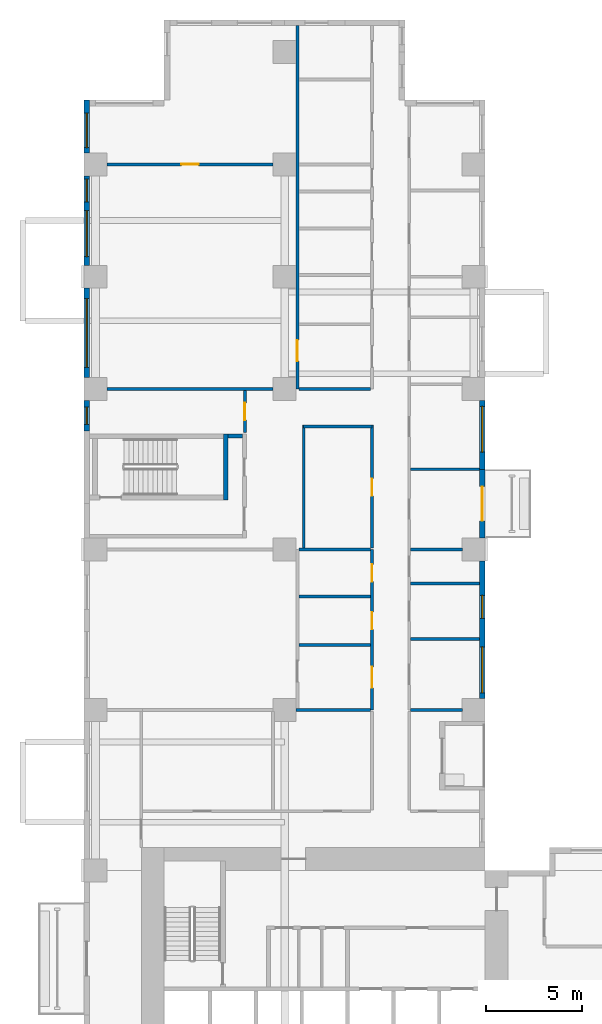
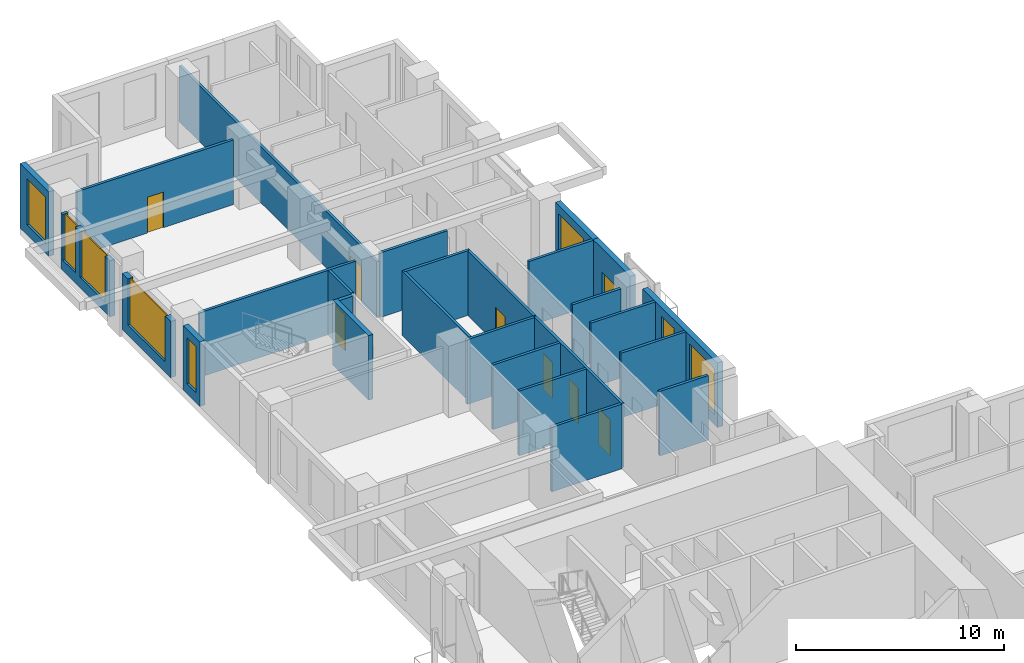
# One storey, part 6 of 14: 27 walls, 8 doors, 8 windows, 16 openings.
"""IFC4 building model written with IfcOpenShell, lengths in metres."""

from ifc_helpers import new_model, si_unit, direction, frame, frame_2d, origin, place, context, subcontext, project, spatial, rectangle, extrude, source, transform, mapped, material, layer, layer_set, type_object, element, fill, save


model = new_model("IFC4")

# Units and contexts
model_context = context("Model", 3, precision=1e-05, world=origin(), true_north=direction((0.0, 1.0)))
body_context = subcontext(model_context, "Body", "Model", "MODEL_VIEW")
ifc_project = project(units=[si_unit("LENGTHUNIT", "METRE"), si_unit("AREAUNIT", "SQUARE_METRE"), si_unit("VOLUMEUNIT", "CUBIC_METRE"), si_unit("PLANEANGLEUNIT", "RADIAN"), si_unit("MASSUNIT", "GRAM", prefix="KILO")], contexts=[model_context])

# Site, building, storey
site_placement = place(None, origin())
site = spatial("IfcSite", under=ifc_project, at=site_placement, CompositionType="ELEMENT")
building_placement = place(site_placement, origin())
building = spatial("IfcBuilding", under=site, at=building_placement, Name="Aurelian Terraces", CompositionType="ELEMENT")
storey_placement = place(building_placement, frame((0.0, 0.0, 40.5)))
storey = spatial("IfcBuildingStorey", under=building, at=storey_placement, Name="L07", CompositionType="ELEMENT", Elevation=40.5)

# Wall
ifc_material_1 = material(Name="Gypsum board on steel studs", Category="steel")
ifc_layer_1 = layer(ifc_material_1, 0.15)
ifc_layer_set_1 = layer_set([ifc_layer_1], Name="Partition 150")
wall_type_1 = type_object("IfcWallType", Name="Partition 150", PredefinedType="PARTITIONING", material=ifc_layer_set_1)
wall_1_placement = place(storey_placement, frame((15.075, 44.25, 0.0), z_axis=(0.0, 0.0, 1.0), x_axis=(-1.0, 0.0, 0.0)))
element("IfcWall", 1, at=wall_1_placement, inside=storey, type_object=wall_type_1, Name="Partition", PredefinedType="PARTITIONING", context=body_context, shape_type="SweptSolid", body=[
    extrude(rectangle(XDim=3.575, YDim=0.15, at=frame_2d((1.7875, 0.0))), origin(), (0.0, 0.0, 1.0), 3.8),
])

# Wall, opening, door
wall_2_placement = place(storey_placement, frame((11.175, 46.2, 0.0), z_axis=(0.0, 0.0, 1.0), x_axis=(0.0, 1.0, 0.0)))
wall_2 = element("IfcWall", 2, at=wall_2_placement, inside=storey, type_object=wall_type_1, Name="Partition", PredefinedType="PARTITIONING", context=body_context, shape_type="SweptSolid", body=[
    extrude(rectangle(XDim=19.02, YDim=0.15, at=frame_2d((9.51, 0.0))), origin(), (0.0, 0.0, 1.0), 3.3),
])
shared_shape_1 = source(origin(), body_context, "Body", "SweptSolid", [
    extrude(rectangle(XDim=1.1, YDim=2.1, at=frame_2d((0.55, 1.05))), frame((0.0, 0.085, 0.0), z_axis=(0.0, -1.0, 0.0), x_axis=(1.0, 0.0, 0.0)), (0.0, 0.0, 1.0), 0.17),
])
opening_1_placement = place(wall_2_placement, frame((1.4603, 0.0, 0.0)))
opening_1 = element("IfcOpeningElement", 3, at=opening_1_placement, cuts=wall_2, Name="Opening 707039", PredefinedType="OPENING", context=body_context, shape_type="MappedRepresentation", body=[
    mapped(shared_shape_1, transform((0.0, 0.0, 0.0), scale=1.0)),
])
ifc_material_2 = material(Name="Timber door leaf", Category="wood")
door_type_1 = type_object("IfcDoorType", Name="Room door 1100x2100 right", OperationType="SINGLE_SWING_RIGHT", PredefinedType="DOOR", material=ifc_material_2)
shared_shape_2 = source(origin(), body_context, "Body", "SweptSolid", [
    extrude(rectangle(XDim=1.1, YDim=2.1, at=frame_2d((0.55, 1.05))), frame((0.0, 0.025, 0.0), z_axis=(0.0, -1.0, 0.0), x_axis=(1.0, 0.0, 0.0)), (0.0, 0.0, 1.0), 0.05),
])
door_1_placement = place(opening_1_placement, origin())
door_1 = element("IfcDoor", 4, at=door_1_placement, inside=storey, type_object=door_type_1, Name="Door 707039", OperationType="SINGLE_SWING_RIGHT", OverallHeight=2.1, OverallWidth=1.1, PredefinedType="DOOR", context=body_context, shape_type="MappedRepresentation", body=[
    mapped(shared_shape_2, transform((0.0, 0.0, 0.0), scale=1.0)),
])
fill(opening_1, door_1)

# Wall, openings, windows
ifc_material_3 = material(Name="Terracotta rainscreen cladding", Category="masonry")
ifc_layer_2 = layer(ifc_material_3, 0.3)
ifc_layer_set_2 = layer_set([ifc_layer_2], Name="EW-300")
wall_type_2 = type_object("IfcWallType", Name="EW-300", PredefinedType="STANDARD", material=ifc_layer_set_2)
shared_shape_3 = source(origin(), body_context, "Body", "SweptSolid", [
    extrude(rectangle(XDim=7.2, YDim=0.3, at=frame_2d((3.6, 0.0))), origin(), (0.0, 0.0, 1.0), 3.8),
])
wall_3_placement = place(storey_placement, frame((20.85, 30.0, 0.0), z_axis=(0.0, 0.0, 1.0), x_axis=(0.0, 1.0, 0.0)))
wall_3 = element("IfcWall", 5, at=wall_3_placement, inside=storey, type_object=wall_type_2, Name="External wall L07 F08.30", PredefinedType="STANDARD", context=body_context, shape_type="MappedRepresentation", body=[
    mapped(shared_shape_3, transform((0.0, 0.0, 0.0), scale=1.0)),
])
shared_shape_4 = source(origin(), body_context, "Body", "SweptSolid", [
    extrude(rectangle(XDim=2.4, YDim=2.7, at=frame_2d((1.2, 1.35))), frame((0.0, 0.16, 0.0), z_axis=(0.0, -1.0, 0.0), x_axis=(1.0, 0.0, 0.0)), (0.0, 0.0, 1.0), 0.32),
])
opening_2_placement = place(wall_3_placement, frame((0.3, 0.0, 0.6)))
opening_2 = element("IfcOpeningElement", 6, at=opening_2_placement, cuts=wall_3, Name="Opening W2427", PredefinedType="OPENING", context=body_context, shape_type="MappedRepresentation", body=[
    mapped(shared_shape_4, transform((0.0, 0.0, 0.0), scale=1.0)),
])
shared_shape_5 = source(origin(), body_context, "Body", "SweptSolid", [
    extrude(rectangle(XDim=1.2, YDim=2.7, at=frame_2d((0.6, 1.35))), frame((0.0, 0.16, 0.0), z_axis=(0.0, -1.0, 0.0), x_axis=(1.0, 0.0, 0.0)), (0.0, 0.0, 1.0), 0.32),
])
opening_3_placement = place(wall_3_placement, frame((4.1995, 0.0, 0.6)))
opening_3 = element("IfcOpeningElement", 7, at=opening_3_placement, cuts=wall_3, Name="Opening W1227", PredefinedType="OPENING", context=body_context, shape_type="MappedRepresentation", body=[
    mapped(shared_shape_5, transform((0.0, 0.0, 0.0), scale=1.0)),
])
ifc_material_4 = material(Name="Clear glazing", Category="glass")
window_type_1 = type_object("IfcWindowType", Name="W-2400x2700", PartitioningType="SINGLE_PANEL", PredefinedType="WINDOW", material=ifc_material_4)
shared_shape_6 = source(origin(), body_context, "Body", "SweptSolid", [
    extrude(rectangle(XDim=2.4, YDim=2.7, at=frame_2d((1.2, 1.35))), frame((0.0, 0.03, 0.0), z_axis=(0.0, -1.0, 0.0), x_axis=(1.0, 0.0, 0.0)), (0.0, 0.0, 1.0), 0.06),
])
window_1_placement = place(opening_2_placement, origin())
window_1 = element("IfcWindow", 8, at=window_1_placement, inside=storey, type_object=window_type_1, Name="Window L07 L07-F08-30-0", OverallHeight=2.7, OverallWidth=2.4, PartitioningType="SINGLE_PANEL", PredefinedType="WINDOW", context=body_context, shape_type="MappedRepresentation", body=[
    mapped(shared_shape_6, transform((0.0, 0.0, 0.0), scale=1.0)),
])
fill(opening_2, window_1)
window_type_2 = type_object("IfcWindowType", Name="W-1200x2700", PartitioningType="SINGLE_PANEL", PredefinedType="WINDOW", material=ifc_material_4)
shared_shape_7 = source(origin(), body_context, "Body", "SweptSolid", [
    extrude(rectangle(XDim=1.2, YDim=2.7, at=frame_2d((0.6, 1.35))), frame((0.0, 0.03, 0.0), z_axis=(0.0, -1.0, 0.0), x_axis=(1.0, 0.0, 0.0)), (0.0, 0.0, 1.0), 0.06),
])
window_2_placement = place(opening_3_placement, origin())
window_2 = element("IfcWindow", 9, at=window_2_placement, inside=storey, type_object=window_type_2, Name="Window L07 L07-F08-30-G0-33", OverallHeight=2.7, OverallWidth=1.2, PartitioningType="SINGLE_PANEL", PredefinedType="WINDOW", context=body_context, shape_type="MappedRepresentation", body=[
    mapped(shared_shape_7, transform((0.0, 0.0, 0.0), scale=1.0)),
])
fill(opening_3, window_2)

# Wall, opening, window
shared_shape_8 = source(origin(), body_context, "Body", "SweptSolid", [
    extrude(rectangle(XDim=2.76, YDim=0.3, at=frame_2d((1.38, 0.0))), origin(), (0.0, 0.0, 1.0), 3.8),
])
wall_4_placement = place(storey_placement, frame((0.15, 61.32, 0.0), z_axis=(0.0, 0.0, 1.0), x_axis=(0.0, -1.0, 0.0)))
wall_4 = element("IfcWall", 10, at=wall_4_placement, inside=storey, type_object=wall_type_2, Name="External wall L07 F14.44", PredefinedType="STANDARD", context=body_context, shape_type="MappedRepresentation", body=[
    mapped(shared_shape_8, transform((0.0, 0.0, 0.0), scale=1.0)),
])
shared_shape_9 = source(origin(), body_context, "Body", "SweptSolid", [
    extrude(rectangle(XDim=1.8, YDim=2.7, at=frame_2d((0.9, 1.35))), frame((0.0, 0.16, 0.0), z_axis=(0.0, -1.0, 0.0), x_axis=(1.0, 0.0, 0.0)), (0.0, 0.0, 1.0), 0.32),
])
opening_4_placement = place(wall_4_placement, frame((0.675, 0.0, 0.6)))
opening_4 = element("IfcOpeningElement", 11, at=opening_4_placement, cuts=wall_4, Name="Opening W1827", PredefinedType="OPENING", context=body_context, shape_type="MappedRepresentation", body=[
    mapped(shared_shape_9, transform((0.0, 0.0, 0.0), scale=1.0)),
])
window_type_3 = type_object("IfcWindowType", Name="W-1800x2700", PartitioningType="SINGLE_PANEL", PredefinedType="WINDOW", material=ifc_material_4)
shared_shape_10 = source(origin(), body_context, "Body", "SweptSolid", [
    extrude(rectangle(XDim=1.8, YDim=2.7, at=frame_2d((0.9, 1.35))), frame((0.0, 0.03, 0.0), z_axis=(0.0, -1.0, 0.0), x_axis=(1.0, 0.0, 0.0)), (0.0, 0.0, 1.0), 0.06),
])
window_3_placement = place(opening_4_placement, origin())
window_3 = element("IfcWindow", 12, at=window_3_placement, inside=storey, type_object=window_type_3, Name="Window L07 L07-F14-44-0", OverallHeight=2.7, OverallWidth=1.8, PartitioningType="SINGLE_PANEL", PredefinedType="WINDOW", context=body_context, shape_type="MappedRepresentation", body=[
    mapped(shared_shape_10, transform((0.0, 0.0, 0.0), scale=1.0)),
])
fill(opening_4, window_3)

# Wall, opening, door
shared_shape_11 = source(origin(), body_context, "Body", "SweptSolid", [
    extrude(rectangle(XDim=3.6, YDim=0.3, at=frame_2d((1.8, 0.0))), origin(), (0.0, 0.0, 1.0), 3.8),
])
wall_5_placement = place(storey_placement, frame((20.85, 38.4, 0.0), z_axis=(0.0, 0.0, 1.0), x_axis=(0.0, 1.0, 0.0)))
wall_5 = element("IfcWall", 13, at=wall_5_placement, inside=storey, type_object=wall_type_2, Name="External wall L07 F08.31", PredefinedType="STANDARD", context=body_context, shape_type="MappedRepresentation", body=[
    mapped(shared_shape_11, transform((0.0, 0.0, 0.0), scale=1.0)),
])
shared_shape_12 = source(origin(), body_context, "Body", "SweptSolid", [
    extrude(rectangle(XDim=1.8, YDim=2.4, at=frame_2d((0.9, 1.2))), frame((0.0, 0.16, 0.0), z_axis=(0.0, -1.0, 0.0), x_axis=(1.0, 0.0, 0.0)), (0.0, 0.0, 1.0), 0.32),
])
opening_5_placement = place(wall_5_placement, frame((0.9, 0.0, 0.0)))
opening_5 = element("IfcOpeningElement", 14, at=opening_5_placement, cuts=wall_5, Name="Opening 80703", PredefinedType="OPENING", context=body_context, shape_type="MappedRepresentation", body=[
    mapped(shared_shape_12, transform((0.0, 0.0, 0.0), scale=1.0)),
])
door_type_2 = type_object("IfcDoorType", Name="BD-1800x2400", OperationType="SLIDING_TO_LEFT", PredefinedType="DOOR", material=ifc_material_4)
shared_shape_13 = source(origin(), body_context, "Body", "SweptSolid", [
    extrude(rectangle(XDim=1.8, YDim=2.4, at=frame_2d((0.9, 1.2))), frame((0.0, 0.025, 0.0), z_axis=(0.0, -1.0, 0.0), x_axis=(1.0, 0.0, 0.0)), (0.0, 0.0, 1.0), 0.05),
])
door_2_placement = place(opening_5_placement, origin())
door_2 = element("IfcDoor", 15, at=door_2_placement, inside=storey, type_object=door_type_2, Name="Balcony door L07 F08.31", OperationType="SLIDING_TO_LEFT", OverallHeight=2.4, OverallWidth=1.8, PredefinedType="DOOR", context=body_context, shape_type="MappedRepresentation", body=[
    mapped(shared_shape_13, transform((0.0, 0.0, 0.0), scale=1.0)),
])
fill(opening_5, door_2)

# Wall, opening, window
wall_6_placement = place(storey_placement, frame((20.85, 42.0, 0.0), z_axis=(0.0, 0.0, 1.0), x_axis=(0.0, 1.0, 0.0)))
wall_6 = element("IfcWall", 16, at=wall_6_placement, inside=storey, type_object=wall_type_2, Name="External wall L07 F08.32", PredefinedType="STANDARD", context=body_context, shape_type="MappedRepresentation", body=[
    mapped(shared_shape_11, transform((0.0, 0.0, 0.0), scale=1.0)),
])
opening_6_placement = place(wall_6_placement, frame((0.9, 0.0, 0.6)))
opening_6 = element("IfcOpeningElement", 17, at=opening_6_placement, cuts=wall_6, Name="Opening W2427", PredefinedType="OPENING", context=body_context, shape_type="MappedRepresentation", body=[
    mapped(shared_shape_4, transform((0.0, 0.0, 0.0), scale=1.0)),
])
window_4_placement = place(opening_6_placement, origin())
window_4 = element("IfcWindow", 18, at=window_4_placement, inside=storey, type_object=window_type_1, Name="Window L07 L07-F08-32-0", OverallHeight=2.7, OverallWidth=2.4, PartitioningType="SINGLE_PANEL", PredefinedType="WINDOW", context=body_context, shape_type="MappedRepresentation", body=[
    mapped(shared_shape_6, transform((0.0, 0.0, 0.0), scale=1.0)),
])
fill(opening_6, window_4)

# Wall, openings, windows
shared_shape_14 = source(origin(), body_context, "Body", "SweptSolid", [
    extrude(rectangle(XDim=4.68, YDim=0.3, at=frame_2d((2.34, 0.0))), origin(), (0.0, 0.0, 1.0), 3.3),
])
wall_7_placement = place(storey_placement, frame((0.15, 57.36, 0.0), z_axis=(0.0, 0.0, 1.0), x_axis=(0.0, -1.0, 0.0)))
wall_7 = element("IfcWall", 19, at=wall_7_placement, inside=storey, type_object=wall_type_2, Name="External wall L07 F14.44", PredefinedType="STANDARD", context=body_context, shape_type="MappedRepresentation", body=[
    mapped(shared_shape_14, transform((0.0, 0.0, 0.0), scale=1.0)),
])
opening_7_placement = place(wall_7_placement, frame((0.165, 0.0, 0.6)))
opening_7 = element("IfcOpeningElement", 20, at=opening_7_placement, cuts=wall_7, Name="Opening W1227", PredefinedType="OPENING", context=body_context, shape_type="MappedRepresentation", body=[
    mapped(shared_shape_5, transform((0.0, 0.0, 0.0), scale=1.0)),
])
opening_8_placement = place(wall_7_placement, frame((1.8225, 0.0, 0.6)))
opening_8 = element("IfcOpeningElement", 21, at=opening_8_placement, cuts=wall_7, Name="Opening W2427", PredefinedType="OPENING", context=body_context, shape_type="MappedRepresentation", body=[
    mapped(shared_shape_4, transform((0.0, 0.0, 0.0), scale=1.0)),
])
window_5_placement = place(opening_8_placement, origin())
window_5 = element("IfcWindow", 22, at=window_5_placement, inside=storey, type_object=window_type_1, Name="Window L07 L07-F14-44-G1-53", OverallHeight=2.7, OverallWidth=2.4, PartitioningType="SINGLE_PANEL", PredefinedType="WINDOW", context=body_context, shape_type="MappedRepresentation", body=[
    mapped(shared_shape_6, transform((0.0, 0.0, 0.0), scale=1.0)),
])
fill(opening_8, window_5)
window_6_placement = place(opening_7_placement, origin())
window_6 = element("IfcWindow", 23, at=window_6_placement, inside=storey, type_object=window_type_2, Name="Window L07 L07-F14-44-1", OverallHeight=2.7, OverallWidth=1.2, PartitioningType="SINGLE_PANEL", PredefinedType="WINDOW", context=body_context, shape_type="MappedRepresentation", body=[
    mapped(shared_shape_7, transform((0.0, 0.0, 0.0), scale=1.0)),
])
fill(opening_7, window_6)

# Wall, opening, window
wall_8_placement = place(storey_placement, frame((0.15, 51.48, 0.0), z_axis=(0.0, 0.0, 1.0), x_axis=(0.0, -1.0, 0.0)))
wall_8 = element("IfcWall", 24, at=wall_8_placement, inside=storey, type_object=wall_type_2, Name="External wall L07 F14.44", PredefinedType="STANDARD", context=body_context, shape_type="MappedRepresentation", body=[
    mapped(shared_shape_14, transform((0.0, 0.0, 0.0), scale=1.0)),
])
shared_shape_15 = source(origin(), body_context, "Body", "SweptSolid", [
    extrude(rectangle(XDim=3.6, YDim=2.7, at=frame_2d((1.8, 1.35))), frame((0.0, 0.16, 0.0), z_axis=(0.0, -1.0, 0.0), x_axis=(1.0, 0.0, 0.0)), (0.0, 0.0, 1.0), 0.32),
])
opening_9_placement = place(wall_8_placement, frame((0.54, 0.0, 0.6)))
opening_9 = element("IfcOpeningElement", 25, at=opening_9_placement, cuts=wall_8, Name="Opening W3627", PredefinedType="OPENING", context=body_context, shape_type="MappedRepresentation", body=[
    mapped(shared_shape_15, transform((0.0, 0.0, 0.0), scale=1.0)),
])
window_type_4 = type_object("IfcWindowType", Name="W-3600x2700", PartitioningType="SINGLE_PANEL", PredefinedType="WINDOW", material=ifc_material_4)
shared_shape_16 = source(origin(), body_context, "Body", "SweptSolid", [
    extrude(rectangle(XDim=3.6, YDim=2.7, at=frame_2d((1.8, 1.35))), frame((0.0, 0.03, 0.0), z_axis=(0.0, -1.0, 0.0), x_axis=(1.0, 0.0, 0.0)), (0.0, 0.0, 1.0), 0.06),
])
window_7_placement = place(opening_9_placement, origin())
window_7 = element("IfcWindow", 26, at=window_7_placement, inside=storey, type_object=window_type_4, Name="Window L07 L07-F14-44-P2", OverallHeight=2.7, OverallWidth=3.6, PartitioningType="SINGLE_PANEL", PredefinedType="WINDOW", context=body_context, shape_type="MappedRepresentation", body=[
    mapped(shared_shape_16, transform((0.0, 0.0, 0.0), scale=1.0)),
])
fill(opening_9, window_7)

shared_shape_17 = source(origin(), body_context, "Body", "SweptSolid", [
    extrude(rectangle(XDim=1.6, YDim=0.3, at=frame_2d((0.8, 0.0))), origin(), (0.0, 0.0, 1.0), 3.8),
])
wall_9_placement = place(storey_placement, frame((0.15, 45.6, 0.0), z_axis=(0.0, 0.0, 1.0), x_axis=(0.0, -1.0, 0.0)))
wall_9 = element("IfcWall", 27, at=wall_9_placement, inside=storey, type_object=wall_type_2, Name="External wall L07 F14.44", PredefinedType="STANDARD", context=body_context, shape_type="MappedRepresentation", body=[
    mapped(shared_shape_17, transform((0.0, 0.0, 0.0), scale=1.0)),
])
shared_shape_18 = source(origin(), body_context, "Body", "SweptSolid", [
    extrude(rectangle(XDim=0.9, YDim=2.7, at=frame_2d((0.45, 1.35))), frame((0.0, 0.16, 0.0), z_axis=(0.0, -1.0, 0.0), x_axis=(1.0, 0.0, 0.0)), (0.0, 0.0, 1.0), 0.32),
])
opening_10_placement = place(wall_9_placement, frame((0.35, 0.0, 0.6)))
opening_10 = element("IfcOpeningElement", 28, at=opening_10_placement, cuts=wall_9, Name="Opening W0927", PredefinedType="OPENING", context=body_context, shape_type="MappedRepresentation", body=[
    mapped(shared_shape_18, transform((0.0, 0.0, 0.0), scale=1.0)),
])
window_type_5 = type_object("IfcWindowType", Name="W-900x2700", PartitioningType="SINGLE_PANEL", PredefinedType="WINDOW", material=ifc_material_4)
shared_shape_19 = source(origin(), body_context, "Body", "SweptSolid", [
    extrude(rectangle(XDim=0.9, YDim=2.7, at=frame_2d((0.45, 1.35))), frame((0.0, 0.03, 0.0), z_axis=(0.0, -1.0, 0.0), x_axis=(1.0, 0.0, 0.0)), (0.0, 0.0, 1.0), 0.06),
])
window_8_placement = place(opening_10_placement, origin())
window_8 = element("IfcWindow", 29, at=window_8_placement, inside=storey, type_object=window_type_5, Name="Window L07 L07-F14-44-P3", OverallHeight=2.7, OverallWidth=0.9, PartitioningType="SINGLE_PANEL", PredefinedType="WINDOW", context=body_context, shape_type="MappedRepresentation", body=[
    mapped(shared_shape_19, transform((0.0, 0.0, 0.0), scale=1.0)),
])
fill(opening_10, window_8)

# Walls
ifc_material_5 = material(Name="Concrete fc' 40 MPa", Category="concrete")
ifc_layer_3 = layer(ifc_material_5, 0.25)
ifc_layer_set_3 = layer_set([ifc_layer_3], Name="Stair enclosure wall 250")
wall_type_3 = type_object("IfcWallType", Name="Stair enclosure wall 250", PredefinedType="SOLIDWALL", material=ifc_layer_set_3)
shared_shape_20 = source(origin(), body_context, "Body", "SweptSolid", [
    extrude(rectangle(XDim=3.45, YDim=0.25, at=frame_2d((1.725, 0.0))), origin(), (0.0, 0.0, 1.0), 3.8),
])
wall_10_placement = place(storey_placement, frame((7.425, 40.4, 0.0), z_axis=(0.0, 0.0, 1.0), x_axis=(0.0, 1.0, 0.0)))
element("IfcWall", 30, at=wall_10_placement, inside=storey, type_object=wall_type_3, Name="L07 core wall ST-S3-N", PredefinedType="SOLIDWALL", context=body_context, shape_type="MappedRepresentation", body=[
    mapped(shared_shape_20, transform((0.0, 0.0, 0.0), scale=1.0)),
])
ifc_layer_4 = layer(ifc_material_1, 0.2)
ifc_layer_set_4 = layer_set([ifc_layer_4], Name="Core partition 200")
wall_type_4 = type_object("IfcWallType", Name="Core partition 200", PredefinedType="PARTITIONING", material=ifc_layer_set_4)
shared_shape_21 = source(origin(), body_context, "Body", "SweptSolid", [
    extrude(rectangle(XDim=0.75, YDim=0.2, at=frame_2d((0.375, 0.0))), origin(), (0.0, 0.0, 1.0), 3.8),
])
wall_11_placement = place(storey_placement, frame((7.55, 43.75, 0.0), z_axis=(0.0, 0.0, 1.0), x_axis=(1.0, 0.0, 0.0)))
element("IfcWall", 31, at=wall_11_placement, inside=storey, type_object=wall_type_4, Name="L07 core wall ST-S3-RE", PredefinedType="PARTITIONING", context=body_context, shape_type="MappedRepresentation", body=[
    mapped(shared_shape_21, transform((0.0, 0.0, 0.0), scale=1.0)),
])
shared_shape_22 = source(origin(), body_context, "Body", "SweptSolid", [
    extrude(rectangle(XDim=6.45, YDim=0.15, at=frame_2d((3.225, 0.0))), origin(), (0.0, 0.0, 1.0), 3.8),
])
wall_12_placement = place(storey_placement, frame((11.5, 44.325, 0.0), z_axis=(0.0, 0.0, 1.0), x_axis=(0.0, -1.0, 0.0)))
element("IfcWall", 32, at=wall_12_placement, inside=storey, type_object=wall_type_1, Name="Partition", PredefinedType="PARTITIONING", context=body_context, shape_type="MappedRepresentation", body=[
    mapped(shared_shape_22, transform((0.0, 0.0, 0.0), scale=1.0)),
])

# Wall, opening, door
ifc_layer_5 = layer(ifc_material_1, 0.15)
ifc_layer_set_5 = layer_set([ifc_layer_5], Name="Fire partition 150")
wall_type_5 = type_object("IfcWallType", Name="Fire partition 150", PredefinedType="PARTITIONING", material=ifc_layer_set_5)
wall_13_placement = place(storey_placement, frame((15.075, 37.875, 0.0), z_axis=(0.0, 0.0, 1.0), x_axis=(0.0, 1.0, 0.0)))
wall_13 = element("IfcWall", 33, at=wall_13_placement, inside=storey, type_object=wall_type_5, Name="Corridor wall", PredefinedType="PARTITIONING", context=body_context, shape_type="MappedRepresentation", body=[
    mapped(shared_shape_22, transform((0.0, 0.0, 0.0), scale=1.0)),
])
shared_shape_23 = source(origin(), body_context, "Body", "SweptSolid", [
    extrude(rectangle(XDim=0.9, YDim=2.1, at=frame_2d((0.45, 1.05))), frame((0.0, 0.085, 0.0), z_axis=(0.0, -1.0, 0.0), x_axis=(1.0, 0.0, 0.0)), (0.0, 0.0, 1.0), 0.17),
])
opening_11_placement = place(wall_13_placement, frame((2.7375, 0.0, 0.0)))
opening_11 = element("IfcOpeningElement", 34, at=opening_11_placement, cuts=wall_13, Name="Opening 707032", PredefinedType="OPENING", context=body_context, shape_type="MappedRepresentation", body=[
    mapped(shared_shape_23, transform((0.0, 0.0, 0.0), scale=1.0)),
])
door_type_3 = type_object("IfcDoorType", Name="Room door 900x2100 right", OperationType="SINGLE_SWING_RIGHT", PredefinedType="DOOR", material=ifc_material_2)
shared_shape_24 = source(origin(), body_context, "Body", "SweptSolid", [
    extrude(rectangle(XDim=0.9, YDim=2.1, at=frame_2d((0.45, 1.05))), frame((0.0, 0.025, 0.0), z_axis=(0.0, -1.0, 0.0), x_axis=(1.0, 0.0, 0.0)), (0.0, 0.0, 1.0), 0.05),
])
door_3_placement = place(opening_11_placement, origin())
door_3 = element("IfcDoor", 35, at=door_3_placement, inside=storey, type_object=door_type_3, Name="Door 707032", OperationType="SINGLE_SWING_RIGHT", OverallHeight=2.1, OverallWidth=0.9, PredefinedType="DOOR", context=body_context, shape_type="MappedRepresentation", body=[
    mapped(shared_shape_24, transform((0.0, 0.0, 0.0), scale=1.0)),
])
fill(opening_11, door_3)

# Walls
shared_shape_25 = source(origin(), body_context, "Body", "SweptSolid", [
    extrude(rectangle(XDim=3.75, YDim=0.15, at=frame_2d((1.875, 0.0))), origin(), (0.0, 0.0, 1.0), 3.8),
])
for number, where, z_axis, x_axis, name in (
    (36, (15.0, 32.8088, 0.0), (0.0, 0.0, 1.0), (-1.0, 0.0, 0.0), "Partition"),
    (37, (15.0, 35.3388, 0.0), (0.0, 0.0, 1.0), (-1.0, 0.0, 0.0), "Partition"),
    (38, (15.0, 37.8, 0.0), (0.0, 0.0, 1.0), (-1.0, 0.0, 0.0), "Partition"),
    (39, (15.0, 46.2, 0.0), (0.0, 0.0, 1.0), (-1.0, 0.0, 0.0), "Partition"),
):
    element("IfcWall", number, at=place(storey_placement, frame(where, z_axis=z_axis, x_axis=x_axis)), inside=storey, type_object=wall_type_1, Name=name, PredefinedType="PARTITIONING", context=body_context, shape_type="MappedRepresentation", body=[
        mapped(shared_shape_25, transform((0.0, 0.0, 0.0), scale=1.0)),
    ])
shared_shape_26 = source(origin(), body_context, "Body", "SweptSolid", [
    extrude(rectangle(XDim=8.702, YDim=0.15, at=frame_2d((4.351, 0.0))), origin(), (0.0, 0.0, 1.0), 3.8),
])
wall_14_placement = place(storey_placement, frame((9.901, 46.2, 0.0), z_axis=(0.0, 0.0, 1.0), x_axis=(-1.0, 0.0, 0.0)))
element("IfcWall", 40, at=wall_14_placement, inside=storey, type_object=wall_type_1, Name="Partition", PredefinedType="PARTITIONING", context=body_context, shape_type="MappedRepresentation", body=[
    mapped(shared_shape_26, transform((0.0, 0.0, 0.0), scale=1.0)),
])

# Wall, opening, door
wall_15_placement = place(storey_placement, frame((9.901, 57.96, 0.0), z_axis=(0.0, 0.0, 1.0), x_axis=(-1.0, 0.0, 0.0)))
wall_15 = element("IfcWall", 41, at=wall_15_placement, inside=storey, type_object=wall_type_1, Name="Partition", PredefinedType="PARTITIONING", context=body_context, shape_type="MappedRepresentation", body=[
    mapped(shared_shape_26, transform((0.0, 0.0, 0.0), scale=1.0)),
])
opening_12_placement = place(wall_15_placement, frame((3.901, 0.0, 0.0)))
opening_12 = element("IfcOpeningElement", 42, at=opening_12_placement, cuts=wall_15, Name="Opening 707056", PredefinedType="OPENING", context=body_context, shape_type="MappedRepresentation", body=[
    mapped(shared_shape_23, transform((0.0, 0.0, 0.0), scale=1.0)),
])
door_type_4 = type_object("IfcDoorType", Name="Room door 900x2100 left", OperationType="SINGLE_SWING_LEFT", PredefinedType="DOOR", material=ifc_material_2)
door_4_placement = place(opening_12_placement, origin())
door_4 = element("IfcDoor", 43, at=door_4_placement, inside=storey, type_object=door_type_4, Name="Door 707056", OperationType="SINGLE_SWING_LEFT", OverallHeight=2.1, OverallWidth=0.9, PredefinedType="DOOR", context=body_context, shape_type="MappedRepresentation", body=[
    mapped(shared_shape_24, transform((0.0, 0.0, 0.0), scale=1.0)),
])
fill(opening_12, door_4)

# Walls
shared_shape_27 = source(origin(), body_context, "Body", "SweptSolid", [
    extrude(rectangle(XDim=3.6, YDim=0.15, at=frame_2d((1.8, 0.0))), origin(), (0.0, 0.0, 1.0), 3.8),
])
for number, where, z_axis, x_axis, name in (
    (44, (17.1, 33.1133, 0.0), (0.0, 0.0, 1.0), (1.0, 0.0, 0.0), "Partition"),
    (45, (17.1, 36.024, 0.0), (0.0, 0.0, 1.0), (1.0, 0.0, 0.0), "Partition"),
    (46, (20.7, 42.0, 0.0), (0.0, 0.0, 1.0), (-1.0, 0.0, 0.0), "Partition"),
):
    element("IfcWall", number, at=place(storey_placement, frame(where, z_axis=z_axis, x_axis=x_axis)), inside=storey, type_object=wall_type_1, Name=name, PredefinedType="PARTITIONING", context=body_context, shape_type="MappedRepresentation", body=[
        mapped(shared_shape_27, transform((0.0, 0.0, 0.0), scale=1.0)),
    ])
shared_shape_28 = source(origin(), body_context, "Body", "SweptSolid", [
    extrude(rectangle(XDim=2.701, YDim=0.15, at=frame_2d((1.3505, 0.0))), origin(), (0.0, 0.0, 1.0), 3.8),
])
for number, where, z_axis, x_axis, name in (
    (47, (19.801, 29.4, 0.0), (0.0, 0.0, 1.0), (-1.0, 0.0, 0.0), "Partition"),
    (48, (19.801, 37.8, 0.0), (0.0, 0.0, 1.0), (-1.0, 0.0, 0.0), "Partition"),
):
    element("IfcWall", number, at=place(storey_placement, frame(where, z_axis=z_axis, x_axis=x_axis)), inside=storey, type_object=wall_type_1, Name=name, PredefinedType="PARTITIONING", context=body_context, shape_type="MappedRepresentation", body=[
        mapped(shared_shape_28, transform((0.0, 0.0, 0.0), scale=1.0)),
    ])

# Wall, openings, doors
shared_shape_29 = source(origin(), body_context, "Body", "SweptSolid", [
    extrude(rectangle(XDim=8.4, YDim=0.15, at=frame_2d((4.2, 0.0))), origin(), (0.0, 0.0, 1.0), 3.8),
])
wall_16_placement = place(storey_placement, frame((15.075, 29.4, 0.0), z_axis=(0.0, 0.0, 1.0), x_axis=(0.0, 1.0, 0.0)))
wall_16 = element("IfcWall", 49, at=wall_16_placement, inside=storey, type_object=wall_type_5, Name="Corridor wall", PredefinedType="PARTITIONING", context=body_context, shape_type="MappedRepresentation", body=[
    mapped(shared_shape_29, transform((0.0, 0.0, 0.0), scale=1.0)),
])
opening_13_placement = place(wall_16_placement, frame((1.1544, 0.0, 0.0)))
opening_13 = element("IfcOpeningElement", 50, at=opening_13_placement, cuts=wall_16, Name="Opening 707034", PredefinedType="OPENING", context=body_context, shape_type="MappedRepresentation", body=[
    mapped(shared_shape_1, transform((0.0, 0.0, 0.0), scale=1.0)),
])
opening_14_placement = place(wall_16_placement, frame((4.2238, 0.0, 0.0)))
opening_14 = element("IfcOpeningElement", 51, at=opening_14_placement, cuts=wall_16, Name="Opening 707036", PredefinedType="OPENING", context=body_context, shape_type="MappedRepresentation", body=[
    mapped(shared_shape_23, transform((0.0, 0.0, 0.0), scale=1.0)),
])
opening_15_placement = place(wall_16_placement, frame((6.7194, 0.0, 0.0)))
opening_15 = element("IfcOpeningElement", 52, at=opening_15_placement, cuts=wall_16, Name="Opening 707037", PredefinedType="OPENING", context=body_context, shape_type="MappedRepresentation", body=[
    mapped(shared_shape_23, transform((0.0, 0.0, 0.0), scale=1.0)),
])
door_5_placement = place(opening_14_placement, origin())
door_5 = element("IfcDoor", 53, at=door_5_placement, inside=storey, type_object=door_type_4, Name="Door 707036", OperationType="SINGLE_SWING_LEFT", OverallHeight=2.1, OverallWidth=0.9, PredefinedType="DOOR", context=body_context, shape_type="MappedRepresentation", body=[
    mapped(shared_shape_24, transform((0.0, 0.0, 0.0), scale=1.0)),
])
fill(opening_14, door_5)
door_6_placement = place(opening_15_placement, origin())
door_6 = element("IfcDoor", 54, at=door_6_placement, inside=storey, type_object=door_type_3, Name="Door 707037", OperationType="SINGLE_SWING_RIGHT", OverallHeight=2.1, OverallWidth=0.9, PredefinedType="DOOR", context=body_context, shape_type="MappedRepresentation", body=[
    mapped(shared_shape_24, transform((0.0, 0.0, 0.0), scale=1.0)),
])
fill(opening_15, door_6)
door_type_5 = type_object("IfcDoorType", Name="Room door 1100x2100 left", OperationType="SINGLE_SWING_LEFT", PredefinedType="DOOR", material=ifc_material_2)
door_7_placement = place(opening_13_placement, origin())
door_7 = element("IfcDoor", 55, at=door_7_placement, inside=storey, type_object=door_type_5, Name="Door 707034", OperationType="SINGLE_SWING_LEFT", OverallHeight=2.1, OverallWidth=1.1, PredefinedType="DOOR", context=body_context, shape_type="MappedRepresentation", body=[
    mapped(shared_shape_2, transform((0.0, 0.0, 0.0), scale=1.0)),
])
fill(opening_13, door_7)

# Wall
shared_shape_30 = source(origin(), body_context, "Body", "SweptSolid", [
    extrude(rectangle(XDim=3.901, YDim=0.15, at=frame_2d((1.9505, 0.0))), origin(), (0.0, 0.0, 1.0), 3.8),
])
wall_17_placement = place(storey_placement, frame((15.0, 29.4, 0.0), z_axis=(0.0, 0.0, 1.0), x_axis=(-1.0, 0.0, 0.0)))
element("IfcWall", 56, at=wall_17_placement, inside=storey, type_object=wall_type_1, Name="Partition", PredefinedType="PARTITIONING", context=body_context, shape_type="MappedRepresentation", body=[
    mapped(shared_shape_30, transform((0.0, 0.0, 0.0), scale=1.0)),
])

# Wall, opening, door
shared_shape_31 = source(origin(), body_context, "Body", "SweptSolid", [
    extrude(rectangle(XDim=2.2, YDim=0.15, at=frame_2d((1.1, 0.0))), origin(), (0.0, 0.0, 1.0), 3.8),
])
wall_18_placement = place(storey_placement, frame((8.425, 43.925, 0.0), z_axis=(0.0, 0.0, 1.0), x_axis=(0.0, 1.0, 0.0)))
wall_18 = element("IfcWall", 57, at=wall_18_placement, inside=storey, type_object=wall_type_1, Name="Partition", PredefinedType="PARTITIONING", context=body_context, shape_type="MappedRepresentation", body=[
    mapped(shared_shape_31, transform((0.0, 0.0, 0.0), scale=1.0)),
])
opening_16_placement = place(wall_18_placement, frame((0.65, 0.0, 0.0)))
opening_16 = element("IfcOpeningElement", 58, at=opening_16_placement, cuts=wall_18, Name="Opening 707033", PredefinedType="OPENING", context=body_context, shape_type="MappedRepresentation", body=[
    mapped(shared_shape_23, transform((0.0, 0.0, 0.0), scale=1.0)),
])
door_8_placement = place(opening_16_placement, origin())
door_8 = element("IfcDoor", 59, at=door_8_placement, inside=storey, type_object=door_type_3, Name="Door 707033", OperationType="SINGLE_SWING_RIGHT", OverallHeight=2.1, OverallWidth=0.9, PredefinedType="DOOR", context=body_context, shape_type="MappedRepresentation", body=[
    mapped(shared_shape_24, transform((0.0, 0.0, 0.0), scale=1.0)),
])
fill(opening_16, door_8)

save(model, "model.ifc")
